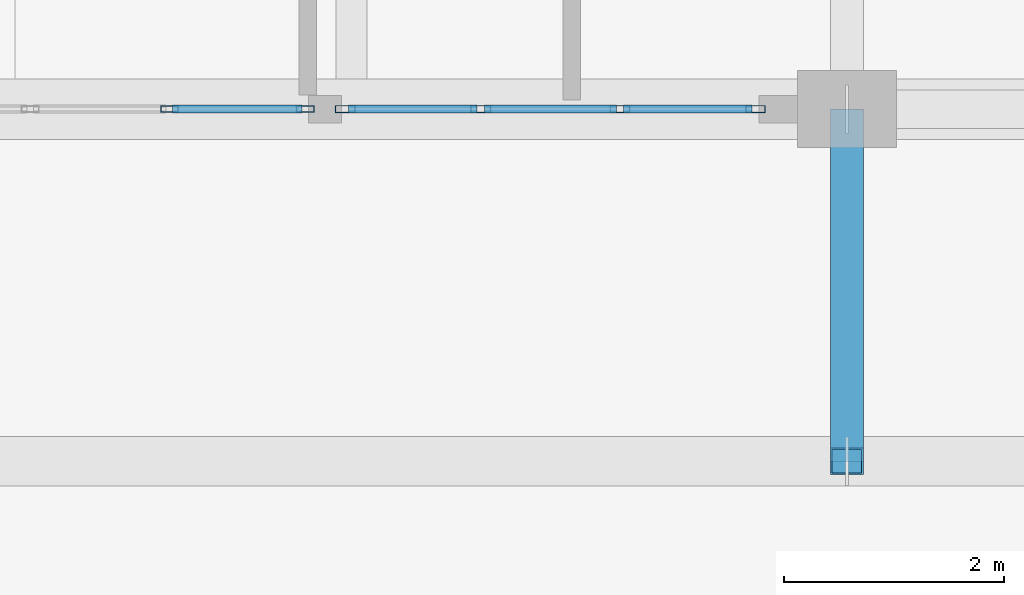
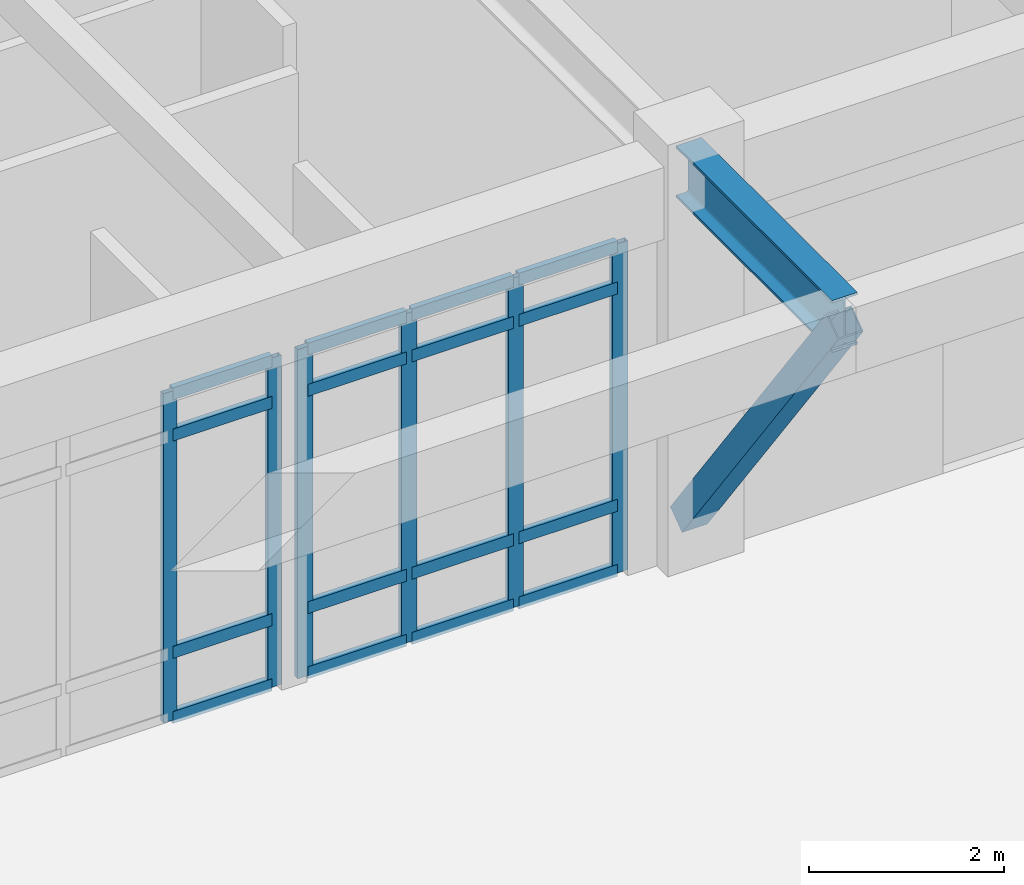
# One storey, part 18 of 138: 23 members, 1 beam, 2 elements without a shape of their own.
"""IFC4 building model written with IfcOpenShell, lengths in metres."""

from ifc_helpers import new_model, si_unit, direction, frame, origin, origin_2d, place, context, subcontext, project, spatial, hollow_rectangle, i_section, extrude, material, layer, layer_set, material_profile, profile_set, type_object, element, aggregate, save


model = new_model("IFC4")

# Units and contexts
model_context = context("Model", 3, precision=1e-05, world=origin(), true_north=direction((0.0, 1.0)))
body_context = subcontext(model_context, "Body", "Model", "MODEL_VIEW")
ifc_project = project(units=[si_unit("LENGTHUNIT", "METRE"), si_unit("AREAUNIT", "SQUARE_METRE"), si_unit("VOLUMEUNIT", "CUBIC_METRE"), si_unit("PLANEANGLEUNIT", "RADIAN"), si_unit("MASSUNIT", "GRAM", prefix="KILO")], contexts=[model_context])

# Site, building, storey
site_placement = place(None, origin())
site = spatial("IfcSite", under=ifc_project, at=site_placement, CompositionType="ELEMENT")
building_placement = place(site_placement, origin())
building = spatial("IfcBuilding", under=site, at=building_placement, Name="Fikremerkos Civic Library", CompositionType="ELEMENT")
storey_placement = place(building_placement, origin())
storey = spatial("IfcBuildingStorey", under=building, at=storey_placement, Name="L00", CompositionType="ELEMENT", Elevation=0.0)

# Curtain wall, members
ifc_material_1 = material(Name="Anodized aluminium Frame", Category="aluminium")
ifc_layer_1 = layer(ifc_material_1, 0.159912109375, Name="Anodized aluminium Frame")
ifc_layer_set_1 = layer_set([ifc_layer_1], Name="Anodized aluminium Frame")
curtain_wall_type_1 = type_object("IfcCurtainWallType", Name="Unitised curtain wall CW-01 3600x3600", PredefinedType="USERDEFINED", material=ifc_layer_set_1)
curtain_wall_1_placement = place(storey_placement, origin())
curtain_wall_1 = element("IfcCurtainWall", 1, at=curtain_wall_1_placement, inside=storey, type_object=curtain_wall_type_1, Name="Unitised curtain wall CW-01 L00 #1", ObjectType="UNITISED CURTAIN WALL", PredefinedType="USERDEFINED")
ifc_material_profile_1 = material_profile(ifc_material_1, hollow_rectangle(XDim=0.06494140625, YDim=0.179931640625, WallThickness=0.00439453125, at=origin_2d()), Name="ALU 180x65x4.5")
ifc_profile_set_1 = profile_set([ifc_material_profile_1], Name="Anodized aluminium Frame")
member_type_1 = type_object("IfcMemberType", Name="Curtain mullion CWM-01 ALU 180x65x4.5", PredefinedType="MULLION", material=ifc_profile_set_1)
member_1_placement = place(storey_placement, frame((85.869384765625, 12.0, 0.0), z_axis=(0.0, 0.0, 1.0), x_axis=(0.0, -1.0, 0.0)))
member_1 = element("IfcMember", 2, at=member_1_placement, type_object=member_type_1, Name="CW-01 mullion 1", PredefinedType="MULLION", context=body_context, shape_type="SweptSolid", body=[
    extrude(hollow_rectangle(XDim=0.06494140625, YDim=0.179931640625, WallThickness=0.00439453125, at=origin_2d()), origin(), (0.0, 0.0, 1.0), 4.1201171875),
])
member_2_placement = place(storey_placement, frame((84.6376953125, 12.0, 0.0), z_axis=(0.0, 0.0, 1.0), x_axis=(0.0, -1.0, 0.0)))
member_2 = element("IfcMember", 3, at=member_2_placement, type_object=member_type_1, Name="CW-01 mullion 2", PredefinedType="MULLION", context=body_context, shape_type="SweptSolid", body=[
    extrude(hollow_rectangle(XDim=0.06494140625, YDim=0.179931640625, WallThickness=0.00439453125, at=origin_2d()), origin(), (0.0, 0.0, 1.0), 4.1201171875),
])
member_3_placement = place(storey_placement, frame((83.373291015625, 12.0, 0.0), z_axis=(0.0, 0.0, 1.0), x_axis=(0.0, -1.0, 0.0)))
member_3 = element("IfcMember", 4, at=member_3_placement, type_object=member_type_1, Name="CW-01 mullion 3", PredefinedType="MULLION", context=body_context, shape_type="SweptSolid", body=[
    extrude(hollow_rectangle(XDim=0.06494140625, YDim=0.179931640625, WallThickness=0.00439453125, at=origin_2d()), origin(), (0.0, 0.0, 1.0), 4.1201171875),
])
member_4_placement = place(storey_placement, frame((82.1416015625, 12.0, 0.0), z_axis=(0.0, 0.0, 1.0), x_axis=(0.0, -1.0, 0.0)))
member_4 = element("IfcMember", 5, at=member_4_placement, type_object=member_type_1, Name="CW-01 mullion 4", PredefinedType="MULLION", context=body_context, shape_type="SweptSolid", body=[
    extrude(hollow_rectangle(XDim=0.06494140625, YDim=0.179931640625, WallThickness=0.00439453125, at=origin_2d()), origin(), (0.0, 0.0, 1.0), 4.1201171875),
])

ifc_layer_2 = layer(ifc_material_1, 0.159912109375, Name="Anodized aluminium Frame")
ifc_layer_set_2 = layer_set([ifc_layer_2], Name="Anodized aluminium Frame")
curtain_wall_type_2 = type_object("IfcCurtainWallType", Name="Unitised curtain wall CW-02 3900x3600", PredefinedType="USERDEFINED", material=ifc_layer_set_2)
curtain_wall_2_placement = place(storey_placement, origin())
curtain_wall_2 = element("IfcCurtainWall", 6, at=curtain_wall_2_placement, inside=storey, type_object=curtain_wall_type_2, Name="Unitised curtain wall CW-02 L00 #2", ObjectType="UNITISED CURTAIN WALL", PredefinedType="USERDEFINED")
ifc_material_profile_2 = material_profile(ifc_material_1, hollow_rectangle(XDim=0.06005859375, YDim=0.159912109375, WallThickness=0.00390625, at=origin_2d()), Name="ALU 160x60x4")
ifc_profile_set_2 = profile_set([ifc_material_profile_2], Name="Anodized aluminium Frame")
member_type_2 = type_object("IfcMemberType", Name="Curtain mullion CWM-02 ALU 160x60x4", PredefinedType="MULLION", material=ifc_profile_set_2)
member_5_placement = place(storey_placement, frame((81.779052734375, 12.0, 0.0), z_axis=(0.0, 0.0, 1.0), x_axis=(0.0, -1.0, 0.0)))
member_5 = element("IfcMember", 7, at=member_5_placement, type_object=member_type_2, Name="CW-02 mullion 1", PredefinedType="MULLION", context=body_context, shape_type="SweptSolid", body=[
    extrude(hollow_rectangle(XDim=0.06005859375, YDim=0.159912109375, WallThickness=0.00390625, at=origin_2d()), origin(), (0.0, 0.0, 1.0), 4.1201171875),
])
member_6_placement = place(storey_placement, frame((80.544677734375, 12.0, 0.0), z_axis=(0.0, 0.0, 1.0), x_axis=(0.0, -1.0, 0.0)))
member_6 = element("IfcMember", 8, at=member_6_placement, type_object=member_type_2, Name="CW-02 mullion 2", PredefinedType="MULLION", context=body_context, shape_type="SweptSolid", body=[
    extrude(hollow_rectangle(XDim=0.06005859375, YDim=0.159912109375, WallThickness=0.00390625, at=origin_2d()), origin(), (0.0, 0.0, 1.0), 4.1201171875),
])

# Member
ifc_material_profile_3 = material_profile(ifc_material_1, hollow_rectangle(XDim=0.070068359375, YDim=0.14990234375, WallThickness=0.00439453125, at=origin_2d()), Name="ALU 150x70x4.5")
ifc_profile_set_3 = profile_set([ifc_material_profile_3], Name="Anodized aluminium Frame")
member_type_3 = type_object("IfcMemberType", Name="Curtain transom CWT-01 ALU 150x70x4.5", PredefinedType="USERDEFINED", material=ifc_profile_set_3)
member_7_placement = place(storey_placement, frame((85.8369140625, 12.0, 0.034912109375), z_axis=(-1.0, 0.0, 0.0), x_axis=(0.0, -1.0, 0.0)))
member_7 = element("IfcMember", 9, at=member_7_placement, type_object=member_type_3, Name="CW-01 transom 1.1", ObjectType="TRANSOM", PredefinedType="USERDEFINED", context=body_context, shape_type="SweptSolid", body=[
    extrude(hollow_rectangle(XDim=0.070068359375, YDim=0.14990234375, WallThickness=0.00439453125, at=origin_2d()), origin(), (0.0, 0.0, 1.0), 1.166748046875),
])

member_8_placement = place(storey_placement, frame((85.8369140625, 12.0, 0.85009765625), z_axis=(-1.0, 0.0, 0.0), x_axis=(0.0, -1.0, 0.0)))
member_8 = element("IfcMember", 10, at=member_8_placement, type_object=member_type_3, Name="CW-01 transom 1.2", ObjectType="TRANSOM", PredefinedType="USERDEFINED", context=body_context, shape_type="SweptSolid", body=[
    extrude(hollow_rectangle(XDim=0.070068359375, YDim=0.14990234375, WallThickness=0.00439453125, at=origin_2d()), origin(), (0.0, 0.0, 1.0), 1.166748046875),
])

member_9_placement = place(storey_placement, frame((85.8369140625, 12.0, 3.570068359375), z_axis=(-1.0, 0.0, 0.0), x_axis=(0.0, -1.0, 0.0)))
member_9 = element("IfcMember", 11, at=member_9_placement, type_object=member_type_3, Name="CW-01 transom 1.3", ObjectType="TRANSOM", PredefinedType="USERDEFINED", context=body_context, shape_type="SweptSolid", body=[
    extrude(hollow_rectangle(XDim=0.070068359375, YDim=0.14990234375, WallThickness=0.00439453125, at=origin_2d()), origin(), (0.0, 0.0, 1.0), 1.166748046875),
])

member_10_placement = place(storey_placement, frame((85.8369140625, 12.0, 4.0849609375), z_axis=(-1.0, 0.0, 0.0), x_axis=(0.0, -1.0, 0.0)))
member_10 = element("IfcMember", 12, at=member_10_placement, type_object=member_type_3, Name="CW-01 transom 1.4", ObjectType="TRANSOM", PredefinedType="USERDEFINED", context=body_context, shape_type="SweptSolid", body=[
    extrude(hollow_rectangle(XDim=0.070068359375, YDim=0.14990234375, WallThickness=0.00439453125, at=origin_2d()), origin(), (0.0, 0.0, 1.0), 1.166748046875),
])

member_11_placement = place(storey_placement, frame((84.605224609375, 12.0, 0.034912109375), z_axis=(-1.0, 0.0, 0.0), x_axis=(0.0, -1.0, 0.0)))
member_11 = element("IfcMember", 13, at=member_11_placement, type_object=member_type_3, Name="CW-01 transom 2.1", ObjectType="TRANSOM", PredefinedType="USERDEFINED", context=body_context, shape_type="SweptSolid", body=[
    extrude(hollow_rectangle(XDim=0.070068359375, YDim=0.14990234375, WallThickness=0.00439453125, at=origin_2d()), origin(), (0.0, 0.0, 1.0), 1.199462890625),
])

member_12_placement = place(storey_placement, frame((84.605224609375, 12.0, 0.85009765625), z_axis=(-1.0, 0.0, 0.0), x_axis=(0.0, -1.0, 0.0)))
member_12 = element("IfcMember", 14, at=member_12_placement, type_object=member_type_3, Name="CW-01 transom 2.2", ObjectType="TRANSOM", PredefinedType="USERDEFINED", context=body_context, shape_type="SweptSolid", body=[
    extrude(hollow_rectangle(XDim=0.070068359375, YDim=0.14990234375, WallThickness=0.00439453125, at=origin_2d()), origin(), (0.0, 0.0, 1.0), 1.199462890625),
])

member_13_placement = place(storey_placement, frame((84.605224609375, 12.0, 3.570068359375), z_axis=(-1.0, 0.0, 0.0), x_axis=(0.0, -1.0, 0.0)))
member_13 = element("IfcMember", 15, at=member_13_placement, type_object=member_type_3, Name="CW-01 transom 2.3", ObjectType="TRANSOM", PredefinedType="USERDEFINED", context=body_context, shape_type="SweptSolid", body=[
    extrude(hollow_rectangle(XDim=0.070068359375, YDim=0.14990234375, WallThickness=0.00439453125, at=origin_2d()), origin(), (0.0, 0.0, 1.0), 1.199462890625),
])

member_14_placement = place(storey_placement, frame((84.605224609375, 12.0, 4.0849609375), z_axis=(-1.0, 0.0, 0.0), x_axis=(0.0, -1.0, 0.0)))
member_14 = element("IfcMember", 16, at=member_14_placement, type_object=member_type_3, Name="CW-01 transom 2.4", ObjectType="TRANSOM", PredefinedType="USERDEFINED", context=body_context, shape_type="SweptSolid", body=[
    extrude(hollow_rectangle(XDim=0.070068359375, YDim=0.14990234375, WallThickness=0.00439453125, at=origin_2d()), origin(), (0.0, 0.0, 1.0), 1.199462890625),
])

member_15_placement = place(storey_placement, frame((83.3408203125, 12.0, 0.034912109375), z_axis=(-1.0, 0.0, 0.0), x_axis=(0.0, -1.0, 0.0)))
member_15 = element("IfcMember", 17, at=member_15_placement, type_object=member_type_3, Name="CW-01 transom 3.1", ObjectType="TRANSOM", PredefinedType="USERDEFINED", context=body_context, shape_type="SweptSolid", body=[
    extrude(hollow_rectangle(XDim=0.070068359375, YDim=0.14990234375, WallThickness=0.00439453125, at=origin_2d()), origin(), (0.0, 0.0, 1.0), 1.166748046875),
])

member_16_placement = place(storey_placement, frame((83.3408203125, 12.0, 0.85009765625), z_axis=(-1.0, 0.0, 0.0), x_axis=(0.0, -1.0, 0.0)))
member_16 = element("IfcMember", 18, at=member_16_placement, type_object=member_type_3, Name="CW-01 transom 3.2", ObjectType="TRANSOM", PredefinedType="USERDEFINED", context=body_context, shape_type="SweptSolid", body=[
    extrude(hollow_rectangle(XDim=0.070068359375, YDim=0.14990234375, WallThickness=0.00439453125, at=origin_2d()), origin(), (0.0, 0.0, 1.0), 1.166748046875),
])

member_17_placement = place(storey_placement, frame((83.3408203125, 12.0, 3.570068359375), z_axis=(-1.0, 0.0, 0.0), x_axis=(0.0, -1.0, 0.0)))
member_17 = element("IfcMember", 19, at=member_17_placement, type_object=member_type_3, Name="CW-01 transom 3.3", ObjectType="TRANSOM", PredefinedType="USERDEFINED", context=body_context, shape_type="SweptSolid", body=[
    extrude(hollow_rectangle(XDim=0.070068359375, YDim=0.14990234375, WallThickness=0.00439453125, at=origin_2d()), origin(), (0.0, 0.0, 1.0), 1.166748046875),
])

member_18_placement = place(storey_placement, frame((83.3408203125, 12.0, 4.0849609375), z_axis=(-1.0, 0.0, 0.0), x_axis=(0.0, -1.0, 0.0)))
member_18 = element("IfcMember", 20, at=member_18_placement, type_object=member_type_3, Name="CW-01 transom 3.4", ObjectType="TRANSOM", PredefinedType="USERDEFINED", context=body_context, shape_type="SweptSolid", body=[
    extrude(hollow_rectangle(XDim=0.070068359375, YDim=0.14990234375, WallThickness=0.00439453125, at=origin_2d()), origin(), (0.0, 0.0, 1.0), 1.166748046875),
])

aggregate(curtain_wall_1, [member_1, member_2, member_3, member_4, member_7, member_8, member_9, member_10, member_11, member_12, member_13, member_14, member_15, member_16, member_17, member_18])

member_19_placement = place(storey_placement, frame((81.7490234375, 12.0, 0.034912109375), z_axis=(-1.0, 0.0, 0.0), x_axis=(0.0, -1.0, 0.0)))
member_19 = element("IfcMember", 21, at=member_19_placement, type_object=member_type_3, Name="CW-02 transom 1.1", ObjectType="TRANSOM", PredefinedType="USERDEFINED", context=body_context, shape_type="SweptSolid", body=[
    extrude(hollow_rectangle(XDim=0.070068359375, YDim=0.14990234375, WallThickness=0.00439453125, at=origin_2d()), origin(), (0.0, 0.0, 1.0), 1.17431640625),
])

member_20_placement = place(storey_placement, frame((81.7490234375, 12.0, 0.85009765625), z_axis=(-1.0, 0.0, 0.0), x_axis=(0.0, -1.0, 0.0)))
member_20 = element("IfcMember", 22, at=member_20_placement, type_object=member_type_3, Name="CW-02 transom 1.2", ObjectType="TRANSOM", PredefinedType="USERDEFINED", context=body_context, shape_type="SweptSolid", body=[
    extrude(hollow_rectangle(XDim=0.070068359375, YDim=0.14990234375, WallThickness=0.00439453125, at=origin_2d()), origin(), (0.0, 0.0, 1.0), 1.17431640625),
])

member_21_placement = place(storey_placement, frame((81.7490234375, 12.0, 3.570068359375), z_axis=(-1.0, 0.0, 0.0), x_axis=(0.0, -1.0, 0.0)))
member_21 = element("IfcMember", 23, at=member_21_placement, type_object=member_type_3, Name="CW-02 transom 1.3", ObjectType="TRANSOM", PredefinedType="USERDEFINED", context=body_context, shape_type="SweptSolid", body=[
    extrude(hollow_rectangle(XDim=0.070068359375, YDim=0.14990234375, WallThickness=0.00439453125, at=origin_2d()), origin(), (0.0, 0.0, 1.0), 1.17431640625),
])

member_22_placement = place(storey_placement, frame((81.7490234375, 12.0, 4.0849609375), z_axis=(-1.0, 0.0, 0.0), x_axis=(0.0, -1.0, 0.0)))
member_22 = element("IfcMember", 24, at=member_22_placement, type_object=member_type_3, Name="CW-02 transom 1.4", ObjectType="TRANSOM", PredefinedType="USERDEFINED", context=body_context, shape_type="SweptSolid", body=[
    extrude(hollow_rectangle(XDim=0.070068359375, YDim=0.14990234375, WallThickness=0.00439453125, at=origin_2d()), origin(), (0.0, 0.0, 1.0), 1.17431640625),
])

aggregate(curtain_wall_2, [member_5, member_6, member_19, member_20, member_21, member_22])

# Beam
ifc_material_2 = material(Name="Steel S355", Category="steel")
ifc_material_profile_4 = material_profile(ifc_material_2, i_section(OverallWidth=0.300048828125, OverallDepth=0.64990234375, WebThickness=0.01611328125, FlangeThickness=0.031005859375, FilletRadius=0.027099609375, at=origin_2d()), Name="HEB 650")
ifc_profile_set_4 = profile_set([ifc_material_profile_4], Name="Steel S355")
beam_type = type_object("IfcBeamType", Name="Primary girder BM-12 HEB 650", PredefinedType="BEAM", material=ifc_profile_set_4)
beam_placement = place(storey_placement, frame((86.699951171875, 12.0, 4.7548828125), z_axis=(0.0, -1.0, 0.0), x_axis=(1.0, 0.0, 0.0)))
element("IfcBeam", 25, at=beam_placement, inside=storey, type_object=beam_type, Name="Cantilever girder BM-12 L00 X=86.7", PredefinedType="BEAM", context=body_context, shape_type="SweptSolid", body=[
    extrude(i_section(OverallWidth=0.300048828125, OverallDepth=0.64990234375, WebThickness=0.01611328125, FlangeThickness=0.031005859375, FilletRadius=0.027099609375, at=origin_2d()), origin(), (0.0, 0.0, 1.0), 3.199951171875),
])

# Member
ifc_material_profile_5 = material_profile(ifc_material_2, hollow_rectangle(XDim=0.300048828125, YDim=0.300048828125, WallThickness=0.01611328125, at=origin_2d()), Name="SHS 300x300x16")
ifc_profile_set_5 = profile_set([ifc_material_profile_5], Name="Steel S355")
member_type_4 = type_object("IfcMemberType", Name="Raking strut STR-02 SHS 300x300x16", PredefinedType="STRUT", material=ifc_profile_set_5)
member_23_placement = place(storey_placement, frame((86.699951171875, 12.0, 0.39990234375), z_axis=(0.0, -0.592121340172, 0.805848818646), x_axis=(1.0, 0.0, 0.0)))
element("IfcMember", 26, at=member_23_placement, inside=storey, type_object=member_type_4, Name="Raking cantilever strut STR-02 L00 X=86.7", PredefinedType="STRUT", context=body_context, shape_type="SweptSolid", body=[
    extrude(hollow_rectangle(XDim=0.300048828125, YDim=0.300048828125, WallThickness=0.01611328125, at=origin_2d()), origin(), (0.0, 0.0, 1.0), 5.404296875),
])

save(model, "model.ifc")
